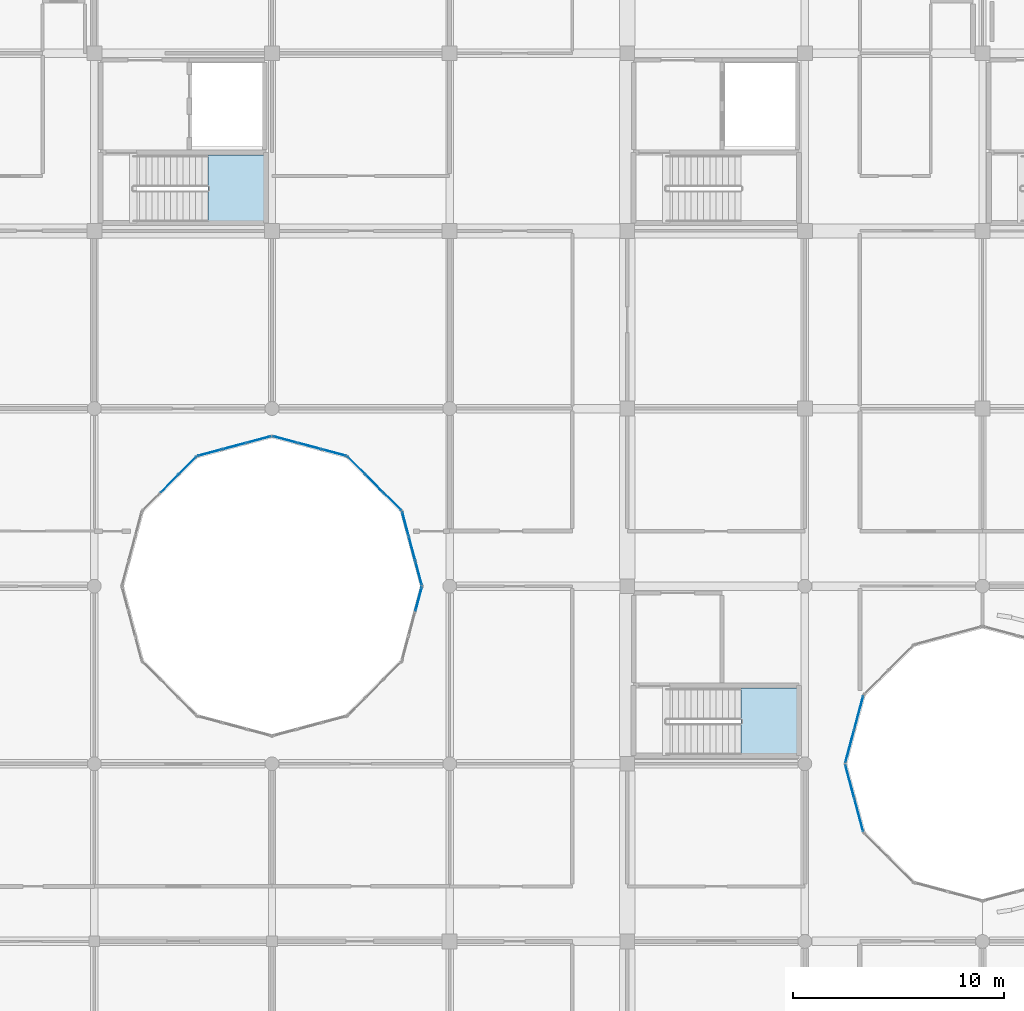
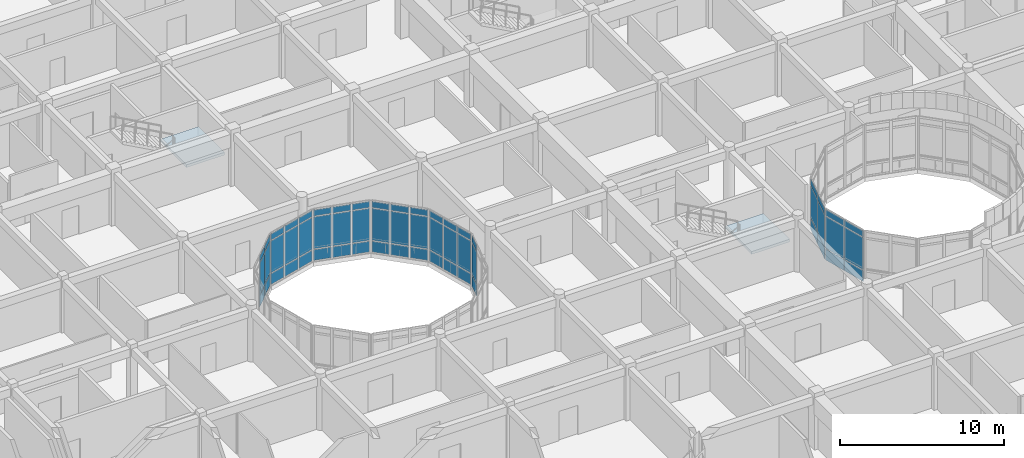
# One storey, part 67 of 119: 57 plates, 2 slabs, 10 elements without a shape of their own.
"""IFC4 building model written with IfcOpenShell, lengths in metres."""

from ifc_helpers import new_model, si_unit, direction, frame, origin, origin_2d, place, context, subcontext, project, spatial, polyline, rectangle, outline, extrude, material, layer, layer_set, type_object, element, aggregate, save


model = new_model("IFC4")

# Units and contexts
model_context = context("Model", 3, precision=1e-05, world=origin(), true_north=direction((0.0, 1.0)))
body_context = subcontext(model_context, "Body", "Model", "MODEL_VIEW")
ifc_project = project(units=[si_unit("LENGTHUNIT", "METRE"), si_unit("AREAUNIT", "SQUARE_METRE"), si_unit("VOLUMEUNIT", "CUBIC_METRE"), si_unit("PLANEANGLEUNIT", "RADIAN"), si_unit("MASSUNIT", "GRAM", prefix="KILO")], contexts=[model_context])

# Site, building, storey
site_placement = place(None, origin())
site = spatial("IfcSite", under=ifc_project, at=site_placement, CompositionType="ELEMENT")
building_placement = place(site_placement, origin())
building = spatial("IfcBuilding", under=site, at=building_placement, Name="Bramfleet General Hospital", CompositionType="ELEMENT")
storey_placement = place(building_placement, frame((0.0, 0.0, 14.39990234375)))
storey = spatial("IfcBuildingStorey", under=building, at=storey_placement, Name="L03", CompositionType="ELEMENT", Elevation=14.39990234375)

# Curtain wall, plates
ifc_material_1 = material(Name="Anodised aluminium and low-E triple glazing", Category="aluminium")
ifc_layer_1 = layer(ifc_material_1, 0.179931640625, Name="CWT-CW-18")
ifc_layer_set_1 = layer_set([ifc_layer_1], Name="Anodised aluminium and low-E triple glazing")
curtain_wall_type_1 = type_object("IfcCurtainWallType", Name="CWT-CW-18", PredefinedType="USERDEFINED", material=ifc_layer_set_1)
curtain_wall_1_placement = place(storey_placement, origin())
curtain_wall_1 = element("IfcCurtainWall", 1, at=curtain_wall_1_placement, inside=storey, type_object=curtain_wall_type_1, Name="L03 Central Diagnostic Light Court Curtain Wall 6.1", ObjectType="Stick curtain wall", PredefinedType="USERDEFINED")
ifc_material_2 = material(Name="Low-E laminated safety glass", Category="glass")
ifc_layer_2 = layer(ifc_material_2, 0.031982421875, Name="CWP-GLZ-2")
ifc_layer_set_2 = layer_set([ifc_layer_2], Name="Low-E laminated safety glass")
plate_type = type_object("IfcPlateType", Name="CWP-GLZ-2", PredefinedType="CURTAIN_PANEL", material=ifc_layer_set_2)
plate_1_placement = place(storey_placement, frame((90.93701171875, 74.991455078125, 0.06494140625), z_axis=(0.0, 0.0, 1.0), x_axis=(0.258763286618, 0.965940765005, 0.0)))
plate_1 = element("IfcPlate", 2, at=plate_1_placement, type_object=plate_type, Name="CW-18 panel 3.1", PredefinedType="CURTAIN_PANEL", context=body_context, shape_type="SweptSolid", body=[
    extrude(rectangle(XDim=1.1201171875, YDim=0.031982421875, at=origin_2d()), origin(), (0.0, 0.0, 1.0), 0.802490234375),
])
plate_2_placement = place(storey_placement, frame((90.93701171875, 74.991455078125, 0.9326171875), z_axis=(0.0, 0.0, 1.0), x_axis=(0.258763286618, 0.965940765005, 0.0)))
plate_2 = element("IfcPlate", 3, at=plate_2_placement, type_object=plate_type, Name="CW-18 panel 3.2", PredefinedType="CURTAIN_PANEL", context=body_context, shape_type="SweptSolid", body=[
    extrude(rectangle(XDim=1.1201171875, YDim=0.031982421875, at=origin_2d()), origin(), (0.0, 0.0, 1.0), 2.375),
])
plate_3_placement = place(storey_placement, frame((90.93701171875, 74.991455078125, 3.37255859375), z_axis=(0.0, 0.0, 1.0), x_axis=(0.258763286618, 0.965940765005, 0.0)))
plate_3 = element("IfcPlate", 4, at=plate_3_placement, type_object=plate_type, Name="CW-18 panel 3.3", PredefinedType="CURTAIN_PANEL", context=body_context, shape_type="SweptSolid", body=[
    extrude(rectangle(XDim=1.1201171875, YDim=0.031982421875, at=origin_2d()), origin(), (0.0, 0.0, 1.0), 0.452392578125),
])
aggregate(curtain_wall_1, [plate_1, plate_2, plate_3])

ifc_layer_3 = layer(ifc_material_1, 0.179931640625, Name="CWT-CW-11")
ifc_layer_set_3 = layer_set([ifc_layer_3], Name="Anodised aluminium and low-E triple glazing")
curtain_wall_type_2 = type_object("IfcCurtainWallType", Name="CWT-CW-11", PredefinedType="USERDEFINED", material=ifc_layer_set_3)
curtain_wall_2_placement = place(storey_placement, origin())
curtain_wall_2 = element("IfcCurtainWall", 5, at=curtain_wall_2_placement, inside=storey, type_object=curtain_wall_type_2, Name="L03 Central Diagnostic Light Court Curtain Wall 7.1", ObjectType="Stick curtain wall", PredefinedType="USERDEFINED")
plate_4_placement = place(storey_placement, frame((90.93701171875, 76.20849609375, 0.06494140625), z_axis=(0.0, 0.0, 1.0), x_axis=(-0.258763286618, 0.965940765005, 0.0)))
plate_4 = element("IfcPlate", 6, at=plate_4_placement, type_object=plate_type, Name="CW-11 panel 1.1", PredefinedType="CURTAIN_PANEL", context=body_context, shape_type="SweptSolid", body=[
    extrude(rectangle(XDim=1.1201171875, YDim=0.031982421875, at=origin_2d()), origin(), (0.0, 0.0, 1.0), 0.802490234375),
])
plate_5_placement = place(storey_placement, frame((90.93701171875, 76.20849609375, 0.9326171875), z_axis=(0.0, 0.0, 1.0), x_axis=(-0.258763286618, 0.965940765005, 0.0)))
plate_5 = element("IfcPlate", 7, at=plate_5_placement, type_object=plate_type, Name="CW-11 panel 1.2", PredefinedType="CURTAIN_PANEL", context=body_context, shape_type="SweptSolid", body=[
    extrude(rectangle(XDim=1.1201171875, YDim=0.031982421875, at=origin_2d()), origin(), (0.0, 0.0, 1.0), 2.375),
])
plate_6_placement = place(storey_placement, frame((90.93701171875, 76.20849609375, 3.37255859375), z_axis=(0.0, 0.0, 1.0), x_axis=(-0.258763286618, 0.965940765005, 0.0)))
plate_6 = element("IfcPlate", 8, at=plate_6_placement, type_object=plate_type, Name="CW-11 panel 1.3", PredefinedType="CURTAIN_PANEL", context=body_context, shape_type="SweptSolid", body=[
    extrude(rectangle(XDim=1.1201171875, YDim=0.031982421875, at=origin_2d()), origin(), (0.0, 0.0, 1.0), 0.452392578125),
])
plate_7_placement = place(storey_placement, frame((90.62451171875, 77.375, 0.06494140625), z_axis=(0.0, 0.0, 1.0), x_axis=(-0.258763286618, 0.965940765005, 0.0)))
plate_7 = element("IfcPlate", 9, at=plate_7_placement, type_object=plate_type, Name="CW-11 panel 2.1", PredefinedType="CURTAIN_PANEL", context=body_context, shape_type="SweptSolid", body=[
    extrude(rectangle(XDim=1.155029296875, YDim=0.031982421875, at=origin_2d()), origin(), (0.0, 0.0, 1.0), 0.802490234375),
])
plate_8_placement = place(storey_placement, frame((90.62451171875, 77.375, 0.9326171875), z_axis=(0.0, 0.0, 1.0), x_axis=(-0.258763286618, 0.965940765005, 0.0)))
plate_8 = element("IfcPlate", 10, at=plate_8_placement, type_object=plate_type, Name="CW-11 panel 2.2", PredefinedType="CURTAIN_PANEL", context=body_context, shape_type="SweptSolid", body=[
    extrude(rectangle(XDim=1.155029296875, YDim=0.031982421875, at=origin_2d()), origin(), (0.0, 0.0, 1.0), 2.375),
])
plate_9_placement = place(storey_placement, frame((90.62451171875, 77.375, 3.37255859375), z_axis=(0.0, 0.0, 1.0), x_axis=(-0.258763286618, 0.965940765005, 0.0)))
plate_9 = element("IfcPlate", 11, at=plate_9_placement, type_object=plate_type, Name="CW-11 panel 2.3", PredefinedType="CURTAIN_PANEL", context=body_context, shape_type="SweptSolid", body=[
    extrude(rectangle(XDim=1.155029296875, YDim=0.031982421875, at=origin_2d()), origin(), (0.0, 0.0, 1.0), 0.452392578125),
])
plate_10_placement = place(storey_placement, frame((90.31201171875, 78.54150390625, 0.06494140625), z_axis=(0.0, 0.0, 1.0), x_axis=(-0.258763286618, 0.965940765005, 0.0)))
plate_10 = element("IfcPlate", 12, at=plate_10_placement, type_object=plate_type, Name="CW-11 panel 3.1", PredefinedType="CURTAIN_PANEL", context=body_context, shape_type="SweptSolid", body=[
    extrude(rectangle(XDim=1.1201171875, YDim=0.031982421875, at=origin_2d()), origin(), (0.0, 0.0, 1.0), 0.802490234375),
])
plate_11_placement = place(storey_placement, frame((90.31201171875, 78.54150390625, 0.9326171875), z_axis=(0.0, 0.0, 1.0), x_axis=(-0.258763286618, 0.965940765005, 0.0)))
plate_11 = element("IfcPlate", 13, at=plate_11_placement, type_object=plate_type, Name="CW-11 panel 3.2", PredefinedType="CURTAIN_PANEL", context=body_context, shape_type="SweptSolid", body=[
    extrude(rectangle(XDim=1.1201171875, YDim=0.031982421875, at=origin_2d()), origin(), (0.0, 0.0, 1.0), 2.375),
])
plate_12_placement = place(storey_placement, frame((90.31201171875, 78.54150390625, 3.37255859375), z_axis=(0.0, 0.0, 1.0), x_axis=(-0.258763286618, 0.965940765005, 0.0)))
plate_12 = element("IfcPlate", 14, at=plate_12_placement, type_object=plate_type, Name="CW-11 panel 3.3", PredefinedType="CURTAIN_PANEL", context=body_context, shape_type="SweptSolid", body=[
    extrude(rectangle(XDim=1.1201171875, YDim=0.031982421875, at=origin_2d()), origin(), (0.0, 0.0, 1.0), 0.452392578125),
])
aggregate(curtain_wall_2, [plate_4, plate_5, plate_6, plate_7, plate_8, plate_9, plate_10, plate_11, plate_12])

ifc_layer_4 = layer(ifc_material_1, 0.179931640625, Name="CWT-CW-12")
ifc_layer_set_4 = layer_set([ifc_layer_4], Name="Anodised aluminium and low-E triple glazing")
curtain_wall_type_3 = type_object("IfcCurtainWallType", Name="CWT-CW-12", PredefinedType="USERDEFINED", material=ifc_layer_set_4)
curtain_wall_3_placement = place(storey_placement, origin())
curtain_wall_3 = element("IfcCurtainWall", 15, at=curtain_wall_3_placement, inside=storey, type_object=curtain_wall_type_3, Name="L03 Central Diagnostic Light Court Curtain Wall 8.1", ObjectType="Stick curtain wall", PredefinedType="USERDEFINED")
plate_13_placement = place(storey_placement, frame((89.703369140625, 79.595458984375, 0.06494140625), z_axis=(0.0, 0.0, 1.0), x_axis=(-0.707106781187, 0.707106781187, 0.0)))
plate_13 = element("IfcPlate", 16, at=plate_13_placement, type_object=plate_type, Name="CW-12 panel 1.1", PredefinedType="CURTAIN_PANEL", context=body_context, shape_type="SweptSolid", body=[
    extrude(rectangle(XDim=1.1201171875, YDim=0.031982421875, at=origin_2d()), origin(), (0.0, 0.0, 1.0), 0.802490234375),
])
plate_14_placement = place(storey_placement, frame((89.703369140625, 79.595458984375, 0.9326171875), z_axis=(0.0, 0.0, 1.0), x_axis=(-0.707106781187, 0.707106781187, 0.0)))
plate_14 = element("IfcPlate", 17, at=plate_14_placement, type_object=plate_type, Name="CW-12 panel 1.2", PredefinedType="CURTAIN_PANEL", context=body_context, shape_type="SweptSolid", body=[
    extrude(rectangle(XDim=1.1201171875, YDim=0.031982421875, at=origin_2d()), origin(), (0.0, 0.0, 1.0), 2.375),
])
plate_15_placement = place(storey_placement, frame((89.703369140625, 79.595458984375, 3.37255859375), z_axis=(0.0, 0.0, 1.0), x_axis=(-0.707106781187, 0.707106781187, 0.0)))
plate_15 = element("IfcPlate", 18, at=plate_15_placement, type_object=plate_type, Name="CW-12 panel 1.3", PredefinedType="CURTAIN_PANEL", context=body_context, shape_type="SweptSolid", body=[
    extrude(rectangle(XDim=1.1201171875, YDim=0.031982421875, at=origin_2d()), origin(), (0.0, 0.0, 1.0), 0.452392578125),
])
plate_16_placement = place(storey_placement, frame((88.849609375, 80.449462890625, 0.06494140625), z_axis=(0.0, 0.0, 1.0), x_axis=(-0.707106781187, 0.707106781187, 0.0)))
plate_16 = element("IfcPlate", 19, at=plate_16_placement, type_object=plate_type, Name="CW-12 panel 2.1", PredefinedType="CURTAIN_PANEL", context=body_context, shape_type="SweptSolid", body=[
    extrude(rectangle(XDim=1.1552734375, YDim=0.031982421875, at=origin_2d()), origin(), (0.0, 0.0, 1.0), 0.802490234375),
])
plate_17_placement = place(storey_placement, frame((88.849609375, 80.449462890625, 0.9326171875), z_axis=(0.0, 0.0, 1.0), x_axis=(-0.707106781187, 0.707106781187, 0.0)))
plate_17 = element("IfcPlate", 20, at=plate_17_placement, type_object=plate_type, Name="CW-12 panel 2.2", PredefinedType="CURTAIN_PANEL", context=body_context, shape_type="SweptSolid", body=[
    extrude(rectangle(XDim=1.1552734375, YDim=0.031982421875, at=origin_2d()), origin(), (0.0, 0.0, 1.0), 2.375),
])
plate_18_placement = place(storey_placement, frame((88.849609375, 80.449462890625, 3.37255859375), z_axis=(0.0, 0.0, 1.0), x_axis=(-0.707106781187, 0.707106781187, 0.0)))
plate_18 = element("IfcPlate", 21, at=plate_18_placement, type_object=plate_type, Name="CW-12 panel 2.3", PredefinedType="CURTAIN_PANEL", context=body_context, shape_type="SweptSolid", body=[
    extrude(rectangle(XDim=1.1552734375, YDim=0.031982421875, at=origin_2d()), origin(), (0.0, 0.0, 1.0), 0.452392578125),
])
plate_19_placement = place(storey_placement, frame((87.99560546875, 81.303466796875, 0.06494140625), z_axis=(0.0, 0.0, 1.0), x_axis=(-0.707106781187, 0.707106781187, 0.0)))
plate_19 = element("IfcPlate", 22, at=plate_19_placement, type_object=plate_type, Name="CW-12 panel 3.1", PredefinedType="CURTAIN_PANEL", context=body_context, shape_type="SweptSolid", body=[
    extrude(rectangle(XDim=1.1201171875, YDim=0.031982421875, at=origin_2d()), origin(), (0.0, 0.0, 1.0), 0.802490234375),
])
plate_20_placement = place(storey_placement, frame((87.99560546875, 81.303466796875, 0.9326171875), z_axis=(0.0, 0.0, 1.0), x_axis=(-0.707106781187, 0.707106781187, 0.0)))
plate_20 = element("IfcPlate", 23, at=plate_20_placement, type_object=plate_type, Name="CW-12 panel 3.2", PredefinedType="CURTAIN_PANEL", context=body_context, shape_type="SweptSolid", body=[
    extrude(rectangle(XDim=1.1201171875, YDim=0.031982421875, at=origin_2d()), origin(), (0.0, 0.0, 1.0), 2.375),
])
plate_21_placement = place(storey_placement, frame((87.99560546875, 81.303466796875, 3.37255859375), z_axis=(0.0, 0.0, 1.0), x_axis=(-0.707106781187, 0.707106781187, 0.0)))
plate_21 = element("IfcPlate", 24, at=plate_21_placement, type_object=plate_type, Name="CW-12 panel 3.3", PredefinedType="CURTAIN_PANEL", context=body_context, shape_type="SweptSolid", body=[
    extrude(rectangle(XDim=1.1201171875, YDim=0.031982421875, at=origin_2d()), origin(), (0.0, 0.0, 1.0), 0.452392578125),
])
aggregate(curtain_wall_3, [plate_13, plate_14, plate_15, plate_16, plate_17, plate_18, plate_19, plate_20, plate_21])

ifc_layer_5 = layer(ifc_material_1, 0.179931640625, Name="CWT-CW-13")
ifc_layer_set_5 = layer_set([ifc_layer_5], Name="Anodised aluminium and low-E triple glazing")
curtain_wall_type_4 = type_object("IfcCurtainWallType", Name="CWT-CW-13", PredefinedType="USERDEFINED", material=ifc_layer_set_5)
curtain_wall_4_placement = place(storey_placement, origin())
curtain_wall_4 = element("IfcCurtainWall", 25, at=curtain_wall_4_placement, inside=storey, type_object=curtain_wall_type_4, Name="L03 Central Diagnostic Light Court Curtain Wall 9.1", ObjectType="Stick curtain wall", PredefinedType="USERDEFINED")
plate_22_placement = place(storey_placement, frame((86.94140625, 81.912109375, 0.06494140625), z_axis=(0.0, 0.0, 1.0), x_axis=(-0.965940765005, 0.258763286618, 0.0)))
plate_22 = element("IfcPlate", 26, at=plate_22_placement, type_object=plate_type, Name="CW-13 panel 1.1", PredefinedType="CURTAIN_PANEL", context=body_context, shape_type="SweptSolid", body=[
    extrude(rectangle(XDim=1.1201171875, YDim=0.031982421875, at=origin_2d()), origin(), (0.0, 0.0, 1.0), 0.802490234375),
])
plate_23_placement = place(storey_placement, frame((86.94140625, 81.912109375, 0.9326171875), z_axis=(0.0, 0.0, 1.0), x_axis=(-0.965940765005, 0.258763286618, 0.0)))
plate_23 = element("IfcPlate", 27, at=plate_23_placement, type_object=plate_type, Name="CW-13 panel 1.2", PredefinedType="CURTAIN_PANEL", context=body_context, shape_type="SweptSolid", body=[
    extrude(rectangle(XDim=1.1201171875, YDim=0.031982421875, at=origin_2d()), origin(), (0.0, 0.0, 1.0), 2.375),
])
plate_24_placement = place(storey_placement, frame((86.94140625, 81.912109375, 3.37255859375), z_axis=(0.0, 0.0, 1.0), x_axis=(-0.965940765005, 0.258763286618, 0.0)))
plate_24 = element("IfcPlate", 28, at=plate_24_placement, type_object=plate_type, Name="CW-13 panel 1.3", PredefinedType="CURTAIN_PANEL", context=body_context, shape_type="SweptSolid", body=[
    extrude(rectangle(XDim=1.1201171875, YDim=0.031982421875, at=origin_2d()), origin(), (0.0, 0.0, 1.0), 0.452392578125),
])
plate_25_placement = place(storey_placement, frame((85.77490234375, 82.224609375, 0.06494140625), z_axis=(0.0, 0.0, 1.0), x_axis=(-0.965940765005, 0.258763286618, 0.0)))
plate_25 = element("IfcPlate", 29, at=plate_25_placement, type_object=plate_type, Name="CW-13 panel 2.1", PredefinedType="CURTAIN_PANEL", context=body_context, shape_type="SweptSolid", body=[
    extrude(rectangle(XDim=1.155029296875, YDim=0.031982421875, at=origin_2d()), origin(), (0.0, 0.0, 1.0), 0.802490234375),
])
plate_26_placement = place(storey_placement, frame((85.77490234375, 82.224609375, 0.9326171875), z_axis=(0.0, 0.0, 1.0), x_axis=(-0.965940765005, 0.258763286618, 0.0)))
plate_26 = element("IfcPlate", 30, at=plate_26_placement, type_object=plate_type, Name="CW-13 panel 2.2", PredefinedType="CURTAIN_PANEL", context=body_context, shape_type="SweptSolid", body=[
    extrude(rectangle(XDim=1.155029296875, YDim=0.031982421875, at=origin_2d()), origin(), (0.0, 0.0, 1.0), 2.375),
])
plate_27_placement = place(storey_placement, frame((85.77490234375, 82.224609375, 3.37255859375), z_axis=(0.0, 0.0, 1.0), x_axis=(-0.965940765005, 0.258763286618, 0.0)))
plate_27 = element("IfcPlate", 31, at=plate_27_placement, type_object=plate_type, Name="CW-13 panel 2.3", PredefinedType="CURTAIN_PANEL", context=body_context, shape_type="SweptSolid", body=[
    extrude(rectangle(XDim=1.155029296875, YDim=0.031982421875, at=origin_2d()), origin(), (0.0, 0.0, 1.0), 0.452392578125),
])
plate_28_placement = place(storey_placement, frame((84.608642578125, 82.536865234375, 0.06494140625), z_axis=(0.0, 0.0, 1.0), x_axis=(-0.965940765005, 0.258763286618, 0.0)))
plate_28 = element("IfcPlate", 32, at=plate_28_placement, type_object=plate_type, Name="CW-13 panel 3.1", PredefinedType="CURTAIN_PANEL", context=body_context, shape_type="SweptSolid", body=[
    extrude(rectangle(XDim=1.1201171875, YDim=0.031982421875, at=origin_2d()), origin(), (0.0, 0.0, 1.0), 0.802490234375),
])
plate_29_placement = place(storey_placement, frame((84.608642578125, 82.536865234375, 0.9326171875), z_axis=(0.0, 0.0, 1.0), x_axis=(-0.965940765005, 0.258763286618, 0.0)))
plate_29 = element("IfcPlate", 33, at=plate_29_placement, type_object=plate_type, Name="CW-13 panel 3.2", PredefinedType="CURTAIN_PANEL", context=body_context, shape_type="SweptSolid", body=[
    extrude(rectangle(XDim=1.1201171875, YDim=0.031982421875, at=origin_2d()), origin(), (0.0, 0.0, 1.0), 2.375),
])
plate_30_placement = place(storey_placement, frame((84.608642578125, 82.536865234375, 3.37255859375), z_axis=(0.0, 0.0, 1.0), x_axis=(-0.965940765005, 0.258763286618, 0.0)))
plate_30 = element("IfcPlate", 34, at=plate_30_placement, type_object=plate_type, Name="CW-13 panel 3.3", PredefinedType="CURTAIN_PANEL", context=body_context, shape_type="SweptSolid", body=[
    extrude(rectangle(XDim=1.1201171875, YDim=0.031982421875, at=origin_2d()), origin(), (0.0, 0.0, 1.0), 0.452392578125),
])
aggregate(curtain_wall_4, [plate_22, plate_23, plate_24, plate_25, plate_26, plate_27, plate_28, plate_29, plate_30])

ifc_layer_6 = layer(ifc_material_1, 0.179931640625, Name="CWT-CW-14")
ifc_layer_set_6 = layer_set([ifc_layer_6], Name="Anodised aluminium and low-E triple glazing")
curtain_wall_type_5 = type_object("IfcCurtainWallType", Name="CWT-CW-14", PredefinedType="USERDEFINED", material=ifc_layer_set_6)
curtain_wall_5_placement = place(storey_placement, origin())
curtain_wall_5 = element("IfcCurtainWall", 35, at=curtain_wall_5_placement, inside=storey, type_object=curtain_wall_type_5, Name="L03 Central Diagnostic Light Court Curtain Wall 10.1", ObjectType="Stick curtain wall", PredefinedType="USERDEFINED")
plate_31_placement = place(storey_placement, frame((83.391357421875, 82.536865234375, 0.06494140625), z_axis=(0.0, 0.0, 1.0), x_axis=(-0.965940765005, -0.258763286618, 0.0)))
plate_31 = element("IfcPlate", 36, at=plate_31_placement, type_object=plate_type, Name="CW-14 panel 1.1", PredefinedType="CURTAIN_PANEL", context=body_context, shape_type="SweptSolid", body=[
    extrude(rectangle(XDim=1.1201171875, YDim=0.031982421875, at=origin_2d()), origin(), (0.0, 0.0, 1.0), 0.802490234375),
])
plate_32_placement = place(storey_placement, frame((83.391357421875, 82.536865234375, 0.9326171875), z_axis=(0.0, 0.0, 1.0), x_axis=(-0.965940765005, -0.258763286618, 0.0)))
plate_32 = element("IfcPlate", 37, at=plate_32_placement, type_object=plate_type, Name="CW-14 panel 1.2", PredefinedType="CURTAIN_PANEL", context=body_context, shape_type="SweptSolid", body=[
    extrude(rectangle(XDim=1.1201171875, YDim=0.031982421875, at=origin_2d()), origin(), (0.0, 0.0, 1.0), 2.375),
])
plate_33_placement = place(storey_placement, frame((83.391357421875, 82.536865234375, 3.37255859375), z_axis=(0.0, 0.0, 1.0), x_axis=(-0.965940765005, -0.258763286618, 0.0)))
plate_33 = element("IfcPlate", 38, at=plate_33_placement, type_object=plate_type, Name="CW-14 panel 1.3", PredefinedType="CURTAIN_PANEL", context=body_context, shape_type="SweptSolid", body=[
    extrude(rectangle(XDim=1.1201171875, YDim=0.031982421875, at=origin_2d()), origin(), (0.0, 0.0, 1.0), 0.452392578125),
])
plate_34_placement = place(storey_placement, frame((82.22509765625, 82.224609375, 0.06494140625), z_axis=(0.0, 0.0, 1.0), x_axis=(-0.965940765005, -0.258763286618, 0.0)))
plate_34 = element("IfcPlate", 39, at=plate_34_placement, type_object=plate_type, Name="CW-14 panel 2.1", PredefinedType="CURTAIN_PANEL", context=body_context, shape_type="SweptSolid", body=[
    extrude(rectangle(XDim=1.155029296875, YDim=0.031982421875, at=origin_2d()), origin(), (0.0, 0.0, 1.0), 0.802490234375),
])
plate_35_placement = place(storey_placement, frame((82.22509765625, 82.224609375, 0.9326171875), z_axis=(0.0, 0.0, 1.0), x_axis=(-0.965940765005, -0.258763286618, 0.0)))
plate_35 = element("IfcPlate", 40, at=plate_35_placement, type_object=plate_type, Name="CW-14 panel 2.2", PredefinedType="CURTAIN_PANEL", context=body_context, shape_type="SweptSolid", body=[
    extrude(rectangle(XDim=1.155029296875, YDim=0.031982421875, at=origin_2d()), origin(), (0.0, 0.0, 1.0), 2.375),
])
plate_36_placement = place(storey_placement, frame((82.22509765625, 82.224609375, 3.37255859375), z_axis=(0.0, 0.0, 1.0), x_axis=(-0.965940765005, -0.258763286618, 0.0)))
plate_36 = element("IfcPlate", 41, at=plate_36_placement, type_object=plate_type, Name="CW-14 panel 2.3", PredefinedType="CURTAIN_PANEL", context=body_context, shape_type="SweptSolid", body=[
    extrude(rectangle(XDim=1.155029296875, YDim=0.031982421875, at=origin_2d()), origin(), (0.0, 0.0, 1.0), 0.452392578125),
])
plate_37_placement = place(storey_placement, frame((81.05859375, 81.912109375, 0.06494140625), z_axis=(0.0, 0.0, 1.0), x_axis=(-0.965940765005, -0.258763286618, 0.0)))
plate_37 = element("IfcPlate", 42, at=plate_37_placement, type_object=plate_type, Name="CW-14 panel 3.1", PredefinedType="CURTAIN_PANEL", context=body_context, shape_type="SweptSolid", body=[
    extrude(rectangle(XDim=1.1201171875, YDim=0.031982421875, at=origin_2d()), origin(), (0.0, 0.0, 1.0), 0.802490234375),
])
plate_38_placement = place(storey_placement, frame((81.05859375, 81.912109375, 0.9326171875), z_axis=(0.0, 0.0, 1.0), x_axis=(-0.965940765005, -0.258763286618, 0.0)))
plate_38 = element("IfcPlate", 43, at=plate_38_placement, type_object=plate_type, Name="CW-14 panel 3.2", PredefinedType="CURTAIN_PANEL", context=body_context, shape_type="SweptSolid", body=[
    extrude(rectangle(XDim=1.1201171875, YDim=0.031982421875, at=origin_2d()), origin(), (0.0, 0.0, 1.0), 2.375),
])
plate_39_placement = place(storey_placement, frame((81.05859375, 81.912109375, 3.37255859375), z_axis=(0.0, 0.0, 1.0), x_axis=(-0.965940765005, -0.258763286618, 0.0)))
plate_39 = element("IfcPlate", 44, at=plate_39_placement, type_object=plate_type, Name="CW-14 panel 3.3", PredefinedType="CURTAIN_PANEL", context=body_context, shape_type="SweptSolid", body=[
    extrude(rectangle(XDim=1.1201171875, YDim=0.031982421875, at=origin_2d()), origin(), (0.0, 0.0, 1.0), 0.452392578125),
])
aggregate(curtain_wall_5, [plate_31, plate_32, plate_33, plate_34, plate_35, plate_36, plate_37, plate_38, plate_39])

ifc_layer_7 = layer(ifc_material_1, 0.179931640625, Name="CWT-CW-15")
ifc_layer_set_7 = layer_set([ifc_layer_7], Name="Anodised aluminium and low-E triple glazing")
curtain_wall_type_6 = type_object("IfcCurtainWallType", Name="CWT-CW-15", PredefinedType="USERDEFINED", material=ifc_layer_set_7)
curtain_wall_6_placement = place(storey_placement, origin())
curtain_wall_6 = element("IfcCurtainWall", 45, at=curtain_wall_6_placement, inside=storey, type_object=curtain_wall_type_6, Name="L03 Central Diagnostic Light Court Curtain Wall 11.1", ObjectType="Stick curtain wall", PredefinedType="USERDEFINED")
plate_40_placement = place(storey_placement, frame((80.00439453125, 81.303466796875, 0.06494140625), z_axis=(0.0, 0.0, 1.0), x_axis=(-0.707106781187, -0.707106781187, 0.0)))
plate_40 = element("IfcPlate", 46, at=plate_40_placement, type_object=plate_type, Name="CW-15 panel 1.1", PredefinedType="CURTAIN_PANEL", context=body_context, shape_type="SweptSolid", body=[
    extrude(rectangle(XDim=1.1201171875, YDim=0.031982421875, at=origin_2d()), origin(), (0.0, 0.0, 1.0), 0.802490234375),
])
plate_41_placement = place(storey_placement, frame((80.00439453125, 81.303466796875, 0.9326171875), z_axis=(0.0, 0.0, 1.0), x_axis=(-0.707106781187, -0.707106781187, 0.0)))
plate_41 = element("IfcPlate", 47, at=plate_41_placement, type_object=plate_type, Name="CW-15 panel 1.2", PredefinedType="CURTAIN_PANEL", context=body_context, shape_type="SweptSolid", body=[
    extrude(rectangle(XDim=1.1201171875, YDim=0.031982421875, at=origin_2d()), origin(), (0.0, 0.0, 1.0), 2.375),
])
plate_42_placement = place(storey_placement, frame((80.00439453125, 81.303466796875, 3.37255859375), z_axis=(0.0, 0.0, 1.0), x_axis=(-0.707106781187, -0.707106781187, 0.0)))
plate_42 = element("IfcPlate", 48, at=plate_42_placement, type_object=plate_type, Name="CW-15 panel 1.3", PredefinedType="CURTAIN_PANEL", context=body_context, shape_type="SweptSolid", body=[
    extrude(rectangle(XDim=1.1201171875, YDim=0.031982421875, at=origin_2d()), origin(), (0.0, 0.0, 1.0), 0.452392578125),
])
plate_43_placement = place(storey_placement, frame((79.150390625, 80.449462890625, 0.06494140625), z_axis=(0.0, 0.0, 1.0), x_axis=(-0.707106781187, -0.707106781187, 0.0)))
plate_43 = element("IfcPlate", 49, at=plate_43_placement, type_object=plate_type, Name="CW-15 panel 2.1", PredefinedType="CURTAIN_PANEL", context=body_context, shape_type="SweptSolid", body=[
    extrude(rectangle(XDim=1.1552734375, YDim=0.031982421875, at=origin_2d()), origin(), (0.0, 0.0, 1.0), 0.802490234375),
])
plate_44_placement = place(storey_placement, frame((79.150390625, 80.449462890625, 0.9326171875), z_axis=(0.0, 0.0, 1.0), x_axis=(-0.707106781187, -0.707106781187, 0.0)))
plate_44 = element("IfcPlate", 50, at=plate_44_placement, type_object=plate_type, Name="CW-15 panel 2.2", PredefinedType="CURTAIN_PANEL", context=body_context, shape_type="SweptSolid", body=[
    extrude(rectangle(XDim=1.1552734375, YDim=0.031982421875, at=origin_2d()), origin(), (0.0, 0.0, 1.0), 2.375),
])
plate_45_placement = place(storey_placement, frame((79.150390625, 80.449462890625, 3.37255859375), z_axis=(0.0, 0.0, 1.0), x_axis=(-0.707106781187, -0.707106781187, 0.0)))
plate_45 = element("IfcPlate", 51, at=plate_45_placement, type_object=plate_type, Name="CW-15 panel 2.3", PredefinedType="CURTAIN_PANEL", context=body_context, shape_type="SweptSolid", body=[
    extrude(rectangle(XDim=1.1552734375, YDim=0.031982421875, at=origin_2d()), origin(), (0.0, 0.0, 1.0), 0.452392578125),
])
aggregate(curtain_wall_6, [plate_40, plate_41, plate_42, plate_43, plate_44, plate_45])

ifc_layer_8 = layer(ifc_material_1, 0.179931640625, Name="CWT-CW-17")
ifc_layer_set_8 = layer_set([ifc_layer_8], Name="Anodised aluminium and low-E triple glazing")
curtain_wall_type_7 = type_object("IfcCurtainWallType", Name="CWT-CW-17", PredefinedType="USERDEFINED", material=ifc_layer_set_8)
curtain_wall_7_placement = place(storey_placement, origin())
curtain_wall_7 = element("IfcCurtainWall", 52, at=curtain_wall_7_placement, inside=storey, type_object=curtain_wall_type_7, Name="L03 East Laboratory Light Court Curtain Wall 1.1", ObjectType="Stick curtain wall", PredefinedType="USERDEFINED")
plate_46_placement = place(storey_placement, frame((111.322265625, 66.37060546875, 0.06494140625), z_axis=(0.0, 0.0, 1.0), x_axis=(0.258864833085, -0.965913556273, 0.0)))
plate_46 = element("IfcPlate", 53, at=plate_46_placement, type_object=plate_type, Name="CW-17 panel 1.1", PredefinedType="CURTAIN_PANEL", context=body_context, shape_type="SweptSolid", body=[
    extrude(rectangle(XDim=1.577392578125, YDim=0.031982421875, at=origin_2d()), origin(), (0.0, 0.0, 1.0), 0.802490234375),
])
plate_47_placement = place(storey_placement, frame((111.322265625, 66.37060546875, 0.9326171875), z_axis=(0.0, 0.0, 1.0), x_axis=(0.258864833085, -0.965913556273, 0.0)))
plate_47 = element("IfcPlate", 54, at=plate_47_placement, type_object=plate_type, Name="CW-17 panel 1.2", PredefinedType="CURTAIN_PANEL", context=body_context, shape_type="SweptSolid", body=[
    extrude(rectangle(XDim=1.577392578125, YDim=0.031982421875, at=origin_2d()), origin(), (0.0, 0.0, 1.0), 2.375),
])
plate_48_placement = place(storey_placement, frame((111.322265625, 66.37060546875, 3.37255859375), z_axis=(0.0, 0.0, 1.0), x_axis=(0.258864833085, -0.965913556273, 0.0)))
plate_48 = element("IfcPlate", 55, at=plate_48_placement, type_object=plate_type, Name="CW-17 panel 1.3", PredefinedType="CURTAIN_PANEL", context=body_context, shape_type="SweptSolid", body=[
    extrude(rectangle(XDim=1.577392578125, YDim=0.031982421875, at=origin_2d()), origin(), (0.0, 0.0, 1.0), 0.452392578125),
])
plate_49_placement = place(storey_placement, frame((111.748779296875, 64.779296875, 0.06494140625), z_axis=(0.0, 0.0, 1.0), x_axis=(0.258864833085, -0.965913556273, 0.0)))
plate_49 = element("IfcPlate", 56, at=plate_49_placement, type_object=plate_type, Name="CW-17 panel 2.1", PredefinedType="CURTAIN_PANEL", context=body_context, shape_type="SweptSolid", body=[
    extrude(rectangle(XDim=1.577392578125, YDim=0.031982421875, at=origin_2d()), origin(), (0.0, 0.0, 1.0), 0.802490234375),
])
plate_50_placement = place(storey_placement, frame((111.748779296875, 64.779296875, 0.9326171875), z_axis=(0.0, 0.0, 1.0), x_axis=(0.258864833085, -0.965913556273, 0.0)))
plate_50 = element("IfcPlate", 57, at=plate_50_placement, type_object=plate_type, Name="CW-17 panel 2.2", PredefinedType="CURTAIN_PANEL", context=body_context, shape_type="SweptSolid", body=[
    extrude(rectangle(XDim=1.577392578125, YDim=0.031982421875, at=origin_2d()), origin(), (0.0, 0.0, 1.0), 2.375),
])
plate_51_placement = place(storey_placement, frame((111.748779296875, 64.779296875, 3.37255859375), z_axis=(0.0, 0.0, 1.0), x_axis=(0.258864833085, -0.965913556273, 0.0)))
plate_51 = element("IfcPlate", 58, at=plate_51_placement, type_object=plate_type, Name="CW-17 panel 2.3", PredefinedType="CURTAIN_PANEL", context=body_context, shape_type="SweptSolid", body=[
    extrude(rectangle(XDim=1.577392578125, YDim=0.031982421875, at=origin_2d()), origin(), (0.0, 0.0, 1.0), 0.452392578125),
])
aggregate(curtain_wall_7, [plate_46, plate_47, plate_48, plate_49, plate_50, plate_51])

curtain_wall_8_placement = place(storey_placement, origin())
curtain_wall_8 = element("IfcCurtainWall", 59, at=curtain_wall_8_placement, inside=storey, type_object=curtain_wall_type_3, Name="L03 East Laboratory Light Court Curtain Wall 12.1", ObjectType="Stick curtain wall", PredefinedType="USERDEFINED")
plate_52_placement = place(storey_placement, frame((111.748779296875, 69.62060546875, 0.06494140625), z_axis=(0.0, 0.0, 1.0), x_axis=(-0.258864833085, -0.965913556273, 0.0)))
plate_52 = element("IfcPlate", 60, at=plate_52_placement, type_object=plate_type, Name="CW-12 panel 1.1", PredefinedType="CURTAIN_PANEL", context=body_context, shape_type="SweptSolid", body=[
    extrude(rectangle(XDim=1.577392578125, YDim=0.031982421875, at=origin_2d()), origin(), (0.0, 0.0, 1.0), 0.802490234375),
])
plate_53_placement = place(storey_placement, frame((111.748779296875, 69.62060546875, 0.9326171875), z_axis=(0.0, 0.0, 1.0), x_axis=(-0.258864833085, -0.965913556273, 0.0)))
plate_53 = element("IfcPlate", 61, at=plate_53_placement, type_object=plate_type, Name="CW-12 panel 1.2", PredefinedType="CURTAIN_PANEL", context=body_context, shape_type="SweptSolid", body=[
    extrude(rectangle(XDim=1.577392578125, YDim=0.031982421875, at=origin_2d()), origin(), (0.0, 0.0, 1.0), 2.375),
])
plate_54_placement = place(storey_placement, frame((111.748779296875, 69.62060546875, 3.37255859375), z_axis=(0.0, 0.0, 1.0), x_axis=(-0.258864833085, -0.965913556273, 0.0)))
plate_54 = element("IfcPlate", 62, at=plate_54_placement, type_object=plate_type, Name="CW-12 panel 1.3", PredefinedType="CURTAIN_PANEL", context=body_context, shape_type="SweptSolid", body=[
    extrude(rectangle(XDim=1.577392578125, YDim=0.031982421875, at=origin_2d()), origin(), (0.0, 0.0, 1.0), 0.452392578125),
])
plate_55_placement = place(storey_placement, frame((111.322265625, 68.029296875, 0.06494140625), z_axis=(0.0, 0.0, 1.0), x_axis=(-0.258864833085, -0.965913556273, 0.0)))
plate_55 = element("IfcPlate", 63, at=plate_55_placement, type_object=plate_type, Name="CW-12 panel 2.1", PredefinedType="CURTAIN_PANEL", context=body_context, shape_type="SweptSolid", body=[
    extrude(rectangle(XDim=1.577392578125, YDim=0.031982421875, at=origin_2d()), origin(), (0.0, 0.0, 1.0), 0.802490234375),
])
plate_56_placement = place(storey_placement, frame((111.322265625, 68.029296875, 0.9326171875), z_axis=(0.0, 0.0, 1.0), x_axis=(-0.258864833085, -0.965913556273, 0.0)))
plate_56 = element("IfcPlate", 64, at=plate_56_placement, type_object=plate_type, Name="CW-12 panel 2.2", PredefinedType="CURTAIN_PANEL", context=body_context, shape_type="SweptSolid", body=[
    extrude(rectangle(XDim=1.577392578125, YDim=0.031982421875, at=origin_2d()), origin(), (0.0, 0.0, 1.0), 2.375),
])
plate_57_placement = place(storey_placement, frame((111.322265625, 68.029296875, 3.37255859375), z_axis=(0.0, 0.0, 1.0), x_axis=(-0.258864833085, -0.965913556273, 0.0)))
plate_57 = element("IfcPlate", 65, at=plate_57_placement, type_object=plate_type, Name="CW-12 panel 2.3", PredefinedType="CURTAIN_PANEL", context=body_context, shape_type="SweptSolid", body=[
    extrude(rectangle(XDim=1.577392578125, YDim=0.031982421875, at=origin_2d()), origin(), (0.0, 0.0, 1.0), 0.452392578125),
])
aggregate(curtain_wall_8, [plate_52, plate_53, plate_54, plate_55, plate_56, plate_57])

# Stair, slab
ifc_material_3 = material(Name="Concrete C35/45", Category="concrete")
stair_type = type_object("IfcStairType", Name="STR-T3", PredefinedType="HALF_TURN_STAIR", material=ifc_material_3)
stair_1_placement = place(storey_placement, origin())
stair_1 = element("IfcStair", 66, at=stair_1_placement, inside=storey, type_object=stair_type, Name="L03 Core C5 (North-West Ward Wing) Protected Escape Stair", PredefinedType="HALF_TURN_STAIR")
ifc_layer_9 = layer(ifc_material_3, 0.199951171875, Name="SL-LND-200")
ifc_layer_set_9 = layer_set([ifc_layer_9], Name="Concrete C35/45")
slab_type = type_object("IfcSlabType", Name="SL-LND-200", PredefinedType="LANDING", material=ifc_layer_set_9)
slab_1_placement = place(storey_placement, frame((0.0, 0.0, 1.900146484375)))
slab_1 = element("IfcSlab", 67, at=slab_1_placement, type_object=slab_type, Name="ST-C5 landing 1", PredefinedType="LANDING", context=body_context, shape_type="SweptSolid", body=[
    extrude(outline(polyline([(80.97998046875, 92.820068359375), (83.659912109375, 92.820068359375), (83.659912109375, 95.97998046875), (80.97998046875, 95.97998046875), (80.97998046875, 92.820068359375)])), origin(), (0.0, 0.0, 1.0), 0.199951171875),
])
aggregate(stair_1, [slab_1])

stair_2_placement = place(storey_placement, origin())
stair_2 = element("IfcStair", 68, at=stair_2_placement, inside=storey, type_object=stair_type, Name="L03 Core C11 (Central Spine Escape) Protected Escape Stair", PredefinedType="HALF_TURN_STAIR")
slab_2_placement = place(storey_placement, frame((0.0, 0.0, 1.900146484375)))
slab_2 = element("IfcSlab", 69, at=slab_2_placement, type_object=slab_type, Name="ST-C11 landing 1", PredefinedType="LANDING", context=body_context, shape_type="SweptSolid", body=[
    extrude(outline(polyline([(106.179931640625, 67.6201171875), (108.860107421875, 67.6201171875), (108.860107421875, 70.780029296875), (106.179931640625, 70.780029296875), (106.179931640625, 67.6201171875)])), origin(), (0.0, 0.0, 1.0), 0.199951171875),
])
aggregate(stair_2, [slab_2])

save(model, "model.ifc")
